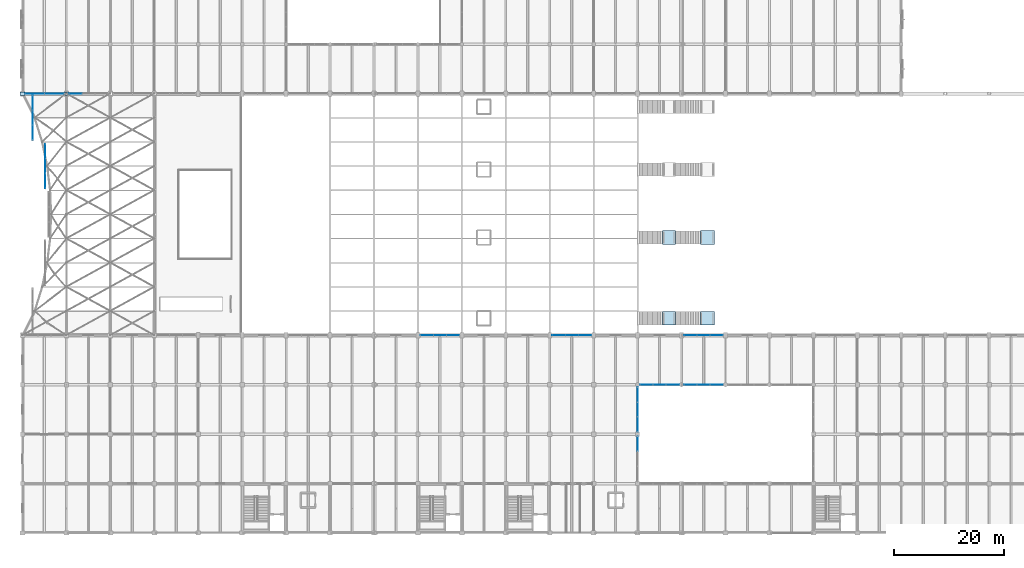
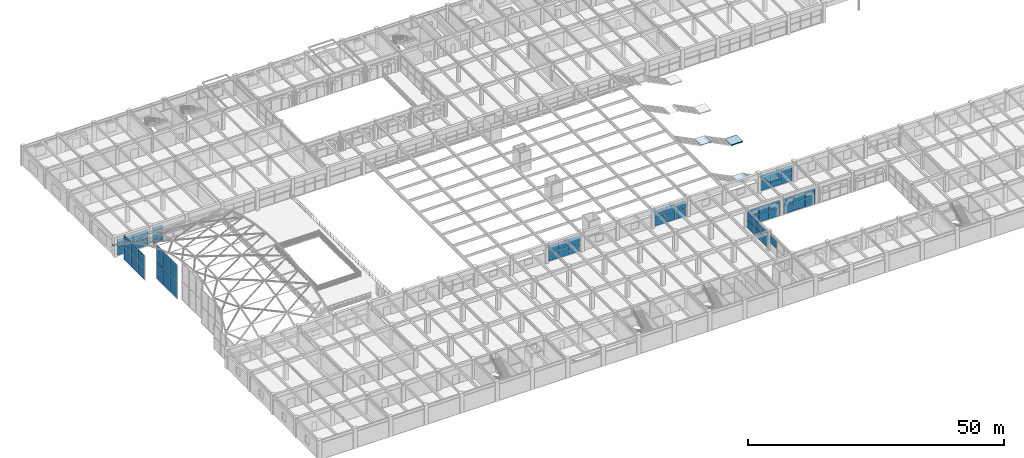
# One storey, part 93 of 144: 57 plates, 4 slabs, 13 elements without a shape of their own.
"""IFC4 building model written with IfcOpenShell, lengths in metres."""

import ifcopenshell
import ifcopenshell.guid

model = None  # the IFC model being written
_history = None  # IfcOwnerHistory: only IFC2X3 demands one
_inside = {}  # id of a spatial element -> (the spatial element, [elements in it])
_under = {}  # id of a project, library or spatial element -> (it, [spatial elements below it])
_declared = {}  # id of a project -> (the project, [libraries it declares])
_typed = {}  # id of a type object -> (the type object, [elements of that type])
_made_of = {}  # id of a material, layer set ... -> (it, [elements and type objects made of it])


def new_model(schema):
    """Start an empty IFC model of exactly this schema.

    Asked for "IFC4X3", IfcOpenShell would pick the latest addendum, in which some entities
    have other attributes; the version numbers below select the first issue.
    IFC2X3 requires an IfcOwnerHistory on every rooted entity: one is made here for all.
    """
    global model, _history
    if schema == "IFC4X3":
        model = ifcopenshell.file(schema_version=(4, 3, 0, 0))
    else:
        model = ifcopenshell.file(schema=schema)
    _inside.clear()
    _under.clear()
    _declared.clear()
    _typed.clear()
    _made_of.clear()
    _history = None
    if model.schema == "IFC2X3":
        org = make("IfcOrganization", Name="unknown")
        user = make(
            "IfcPersonAndOrganization",
            ThePerson=make("IfcPerson", FamilyName="unknown"),
            TheOrganization=org,
        )
        app = make(
            "IfcApplication",
            ApplicationDeveloper=org,
            Version="unknown",
            ApplicationFullName="unknown",
            ApplicationIdentifier="unknown",
        )
        _history = make(
            "IfcOwnerHistory",
            OwningUser=user,
            OwningApplication=app,
            ChangeAction="ADDED",
            CreationDate=0,
        )
    return model


def make(cls, **values):
    """One entity of the class cls with the attributes given. An attribute that is None is left unset."""
    return model.create_entity(
        cls, **{name: value for name, value in values.items() if value is not None}
    )


def rooted(cls, **values):
    """An entity with a GlobalId (a new one), such as an element, a storey or a relation."""
    return make(cls, GlobalId=ifcopenshell.guid.new(), OwnerHistory=_history, **values)


def si_unit(unit_type, name, prefix=None):
    """IfcSIUnit, for example si_unit("LENGTHUNIT", "METRE", prefix="MILLI")."""
    return make("IfcSIUnit", UnitType=unit_type, Prefix=prefix, Name=name)


def assignment(units):
    """IfcUnitAssignment: the units of a project."""
    return None if units is None else make("IfcUnitAssignment", Units=units)


def point(xyz):
    """IfcCartesianPoint."""
    return None if xyz is None else make("IfcCartesianPoint", Coordinates=xyz)


def direction(xyz):
    """IfcDirection."""
    return None if xyz is None else make("IfcDirection", DirectionRatios=xyz)


def frame(location, z_axis=None, x_axis=None):
    """IfcAxis2Placement3D, a coordinate frame: its origin and axes. An axis left out is left unset."""
    return make(
        "IfcAxis2Placement3D",
        Location=point(location),
        Axis=direction(z_axis),
        RefDirection=direction(x_axis),
    )


def frame_2d(location, x_axis=None):
    """IfcAxis2Placement2D, a coordinate frame in the plane: its origin and x axis."""
    return make(
        "IfcAxis2Placement2D", Location=point(location), RefDirection=direction(x_axis)
    )


def origin():
    """The frame at (0, 0, 0) with its axes left unset."""
    return frame((0.0, 0.0, 0.0))


def origin_2d():
    """The frame at (0, 0) in the plane with its x axis left unset."""
    return frame_2d((0.0, 0.0))


def place(relative_to, where):
    """IfcLocalPlacement: puts the frame where relative to a parent placement (None: the world)."""
    return make(
        "IfcLocalPlacement", PlacementRelTo=relative_to, RelativePlacement=where
    )


def context(
    kind, dimensions, precision=None, world=None, true_north=None, identifier=None
):
    """IfcGeometricRepresentationContext, for example the 3D "Model" context."""
    return make(
        "IfcGeometricRepresentationContext",
        ContextIdentifier=identifier,
        ContextType=kind,
        CoordinateSpaceDimension=dimensions,
        Precision=precision,
        WorldCoordinateSystem=world,
        TrueNorth=true_north,
    )


def subcontext(parent, identifier, kind, view, scale=None):
    """IfcGeometricRepresentationSubContext, for example "Body" below "Model"."""
    return make(
        "IfcGeometricRepresentationSubContext",
        ContextIdentifier=identifier,
        ContextType=kind,
        ParentContext=parent,
        TargetScale=scale,
        TargetView=view,
    )


def project(units=None, contexts=None):
    """IfcProject with its units and contexts."""
    return rooted(
        "IfcProject",
        Name="project",
        RepresentationContexts=contexts,
        UnitsInContext=assignment(units),
    )


def spatial(cls, under=None, at=None, **own):
    """A site, building, storey or space (cls), placed at a placement, below another one or the project."""
    s = rooted(cls, ObjectPlacement=at, **own)
    if under is not None:
        _under.setdefault(under.id(), (under, []))[1].append(s)
    return s


def polyline(points):
    """IfcPolyline through the points."""
    return make("IfcPolyline", Points=[point(p) for p in points])


def profile(cls, at=None, kind="AREA", **sizes):
    """A parametric profile (cls). Its sizes go by their IFC names, for example OverallWidth=200.0."""
    return make(cls, ProfileType=kind, Position=at, **sizes)


def rectangle(**sizes):
    """IfcRectangleProfileDef."""
    return profile("IfcRectangleProfileDef", **sizes)


def outline(outer, holes=None, kind="AREA"):
    """IfcArbitraryClosedProfileDef: a profile drawn as a closed curve; with holes, ...WithVoids."""
    if holes is None:
        return make("IfcArbitraryClosedProfileDef", ProfileType=kind, OuterCurve=outer)
    return make(
        "IfcArbitraryProfileDefWithVoids",
        ProfileType=kind,
        OuterCurve=outer,
        InnerCurves=holes,
    )


def extrude(swept, where, along, depth):
    """IfcExtrudedAreaSolid: the profile swept, set in the frame where, extruded along a direction by depth."""
    return make(
        "IfcExtrudedAreaSolid",
        SweptArea=swept,
        Position=where,
        ExtrudedDirection=direction(along),
        Depth=depth,
    )


def shape(context_of_items, identifier, shape_type, items):
    """IfcShapeRepresentation: the items that make up one representation, for example the "Body"."""
    return make(
        "IfcShapeRepresentation",
        ContextOfItems=context_of_items,
        RepresentationIdentifier=identifier,
        RepresentationType=shape_type,
        Items=items,
    )


def material(Name=None, Category=None):
    """IfcMaterial."""
    return make("IfcMaterial", Name=Name, Category=Category)


def layer(
    of_material, thickness, ventilated=None, Name=None, Category=None, Priority=None
):
    """IfcMaterialLayer: one layer of a wall or slab, of a material (None: an air gap)."""
    return make(
        "IfcMaterialLayer",
        Material=of_material,
        LayerThickness=thickness,
        IsVentilated=ventilated,
        Name=Name,
        Category=Category,
        Priority=Priority,
    )


def layer_set(layers, Name=None):
    """IfcMaterialLayerSet."""
    return make("IfcMaterialLayerSet", MaterialLayers=layers, LayerSetName=Name)


def made_of(thing, what):
    """Note that an element or type object is made of a material, layer set ...; save() writes the relation."""
    if what is not None:
        _made_of.setdefault(what.id(), (what, []))[1].append(thing)
    return thing


def type_object(cls, material=None, **own):
    """A type object (cls), such as IfcWallType, which elements share."""
    return made_of(rooted(cls, **own), material)


def element(
    cls,
    number,
    at=None,
    inside=None,
    cuts=None,
    type_object=None,
    material=None,
    context=None,
    identifier="Body",
    shape_type=None,
    held_by="IfcProductDefinitionShape",
    body=None,
    shapes=None,
    **own,
):
    """One element of the class cls, such as IfcWall. Its Tag is "e" and its number.

    at: its placement. inside: the storey or other place that contains it. cuts: it is an
    opening in that element (IfcRelVoidsElement). A single representation is given by context,
    identifier, shape_type and body (its items); several are given by shapes. held_by: the class
    of the entity that holds the representations. save() writes the other relations.
    """
    e = rooted(cls, Tag="e%d" % number, ObjectPlacement=at, **own)
    if body is not None:
        shapes = [shape(context, identifier, shape_type, body)]
    if shapes is not None:
        e.Representation = make(held_by, Representations=shapes)
    if inside is not None:
        _inside.setdefault(inside.id(), (inside, []))[1].append(e)
    if cuts is not None:
        rooted(
            "IfcRelVoidsElement", RelatingBuildingElement=cuts, RelatedOpeningElement=e
        )
    if type_object is not None:
        _typed.setdefault(type_object.id(), (type_object, []))[1].append(e)
    return made_of(e, material)


def aggregate(whole, parts):
    """IfcRelAggregates: a whole, such as a stair, and the parts it consists of."""
    return rooted("IfcRelAggregates", RelatingObject=whole, RelatedObjects=parts)


def save(model, path):
    """Write the relations noted so far, then the file.

    IfcRelAggregates (storeys below a building ...), IfcRelContainedInSpatialStructure (elements
    in a storey), IfcRelDefinesByType, IfcRelAssociatesMaterial and IfcRelDeclares: one each for
    every whole, place, type object, material and project.
    """
    for whole, parts in _under.values():
        aggregate(whole, parts)
    for where, things in _inside.values():
        rooted(
            "IfcRelContainedInSpatialStructure",
            RelatedElements=things,
            RelatingStructure=where,
        )
    for kind, things in _typed.values():
        rooted("IfcRelDefinesByType", RelatedObjects=things, RelatingType=kind)
    for what, things in _made_of.values():
        rooted("IfcRelAssociatesMaterial", RelatedObjects=things, RelatingMaterial=what)
    for by, libraries in _declared.values():
        rooted("IfcRelDeclares", RelatingContext=by, RelatedDefinitions=libraries)
    model.write(path)


model = new_model("IFC4")

# Units and contexts
model_context = context("Model", 3, precision=1e-05, world=origin(), true_north=direction((0.0, 1.0)))
body_context = subcontext(model_context, "Body", "Model", "MODEL_VIEW")
ifc_project = project(units=[si_unit("LENGTHUNIT", "METRE"), si_unit("AREAUNIT", "SQUARE_METRE"), si_unit("VOLUMEUNIT", "CUBIC_METRE"), si_unit("PLANEANGLEUNIT", "RADIAN"), si_unit("MASSUNIT", "GRAM", prefix="KILO")], contexts=[model_context])

# Site, building, storey
site_placement = place(None, origin())
site = spatial("IfcSite", under=ifc_project, at=site_placement, CompositionType="ELEMENT")
building_placement = place(site_placement, origin())
building = spatial("IfcBuilding", under=site, at=building_placement, Name="Varnabhumi Central Station", CompositionType="ELEMENT")
storey_placement = place(building_placement, frame((0.0, 0.0, 4.800048828125)))
storey = spatial("IfcBuildingStorey", under=building, at=storey_placement, Name="L01", CompositionType="ELEMENT", Elevation=4.800048828125)

# Curtain wall, plates
ifc_material_1 = material(Name="Anodised aluminium 6063-T6", Category="aluminium")
curtain_wall_type_1 = type_object("IfcCurtainWallType", Name="CW-STREET-PORTAL", PredefinedType="NOTDEFINED", material=ifc_material_1)
curtain_wall_1_placement = place(storey_placement, origin())
curtain_wall_1 = element("IfcCurtainWall", 1, at=curtain_wall_1_placement, inside=storey, type_object=curtain_wall_type_1, Name="Curtain Wall CW-NSP101", PredefinedType="NOTDEFINED")
ifc_material_2 = material(Name="Laminated low-E double glazing", Category="glass")
ifc_layer_1 = layer(ifc_material_2, 0.035888671875, Name="Laminated low-E double glazing", Category="glass")
ifc_layer_set_1 = layer_set([ifc_layer_1], Name="Laminated low-E double glazing")
plate_type_1 = type_object("IfcPlateType", Name="CW-PNL-GLZ-2", PredefinedType="CURTAIN_PANEL", material=ifc_layer_set_1)
plate_1_placement = place(storey_placement, frame((9.63330078125, 80.0, 0.0400390625), z_axis=(0.0, 0.0, 1.0), x_axis=(1.0, 0.0, 0.0)))
plate_1 = element("IfcPlate", 2, at=plate_1_placement, type_object=plate_type_1, Name="Glazed Panel CW-NSP101-P11", PredefinedType="CURTAIN_PANEL", context=body_context, shape_type="SweptSolid", body=[
    extrude(rectangle(XDim=2.28662109375, YDim=0.035888671875, at=origin_2d()), origin(), (0.0, 0.0, 1.0), 1.840087890625),
])
plate_2_placement = place(storey_placement, frame((9.63330078125, 80.0, 1.9599609375), z_axis=(0.0, 0.0, 1.0), x_axis=(1.0, 0.0, 0.0)))
plate_2 = element("IfcPlate", 3, at=plate_2_placement, type_object=plate_type_1, Name="Glazed Panel CW-NSP101-P12", PredefinedType="CURTAIN_PANEL", context=body_context, shape_type="SweptSolid", body=[
    extrude(rectangle(XDim=2.28662109375, YDim=0.035888671875, at=origin_2d()), origin(), (0.0, 0.0, 1.0), 1.840087890625),
])
aggregate(curtain_wall_1, [plate_1, plate_2])

curtain_wall_type_2 = type_object("IfcCurtainWallType", Name="CW-SPINE-SCREEN-L0", PredefinedType="NOTDEFINED", material=ifc_material_1)
curtain_wall_2_placement = place(storey_placement, origin())
curtain_wall_2 = element("IfcCurtainWall", 4, at=curtain_wall_2_placement, inside=storey, type_object=curtain_wall_type_2, Name="Curtain Wall CW-SS109", PredefinedType="NOTDEFINED")
plate_3_placement = place(storey_placement, frame((73.63330078125, 36.0, 0.0400390625), z_axis=(0.0, 0.0, 1.0), x_axis=(1.0, 0.0, 0.0)))
plate_3 = element("IfcPlate", 5, at=plate_3_placement, type_object=plate_type_1, Name="Glazed Panel CW-SS109-P11", PredefinedType="CURTAIN_PANEL", context=body_context, shape_type="SweptSolid", body=[
    extrude(rectangle(XDim=2.28662109375, YDim=0.035888671875, at=origin_2d()), origin(), (0.0, 0.0, 1.0), 1.840087890625),
])
plate_4_placement = place(storey_placement, frame((73.63330078125, 36.0, 1.9599609375), z_axis=(0.0, 0.0, 1.0), x_axis=(1.0, 0.0, 0.0)))
plate_4 = element("IfcPlate", 6, at=plate_4_placement, type_object=plate_type_1, Name="Glazed Panel CW-SS109-P12", PredefinedType="CURTAIN_PANEL", context=body_context, shape_type="SweptSolid", body=[
    extrude(rectangle(XDim=2.28662109375, YDim=0.035888671875, at=origin_2d()), origin(), (0.0, 0.0, 1.0), 1.840087890625),
])
plate_5_placement = place(storey_placement, frame((76.0, 36.0, 0.0400390625), z_axis=(0.0, 0.0, 1.0), x_axis=(1.0, 0.0, 0.0)))
plate_5 = element("IfcPlate", 7, at=plate_5_placement, type_object=plate_type_1, Name="Glazed Panel CW-SS109-P21", PredefinedType="CURTAIN_PANEL", context=body_context, shape_type="SweptSolid", body=[
    extrude(rectangle(XDim=2.28662109375, YDim=0.035888671875, at=origin_2d()), origin(), (0.0, 0.0, 1.0), 1.840087890625),
])
plate_6_placement = place(storey_placement, frame((76.0, 36.0, 1.9599609375), z_axis=(0.0, 0.0, 1.0), x_axis=(1.0, 0.0, 0.0)))
plate_6 = element("IfcPlate", 8, at=plate_6_placement, type_object=plate_type_1, Name="Glazed Panel CW-SS109-P22", PredefinedType="CURTAIN_PANEL", context=body_context, shape_type="SweptSolid", body=[
    extrude(rectangle(XDim=2.28662109375, YDim=0.035888671875, at=origin_2d()), origin(), (0.0, 0.0, 1.0), 1.840087890625),
])
plate_7_placement = place(storey_placement, frame((78.36669921875, 36.0, 0.0400390625), z_axis=(0.0, 0.0, 1.0), x_axis=(1.0, 0.0, 0.0)))
plate_7 = element("IfcPlate", 9, at=plate_7_placement, type_object=plate_type_1, Name="Glazed Panel CW-SS109-P31", PredefinedType="CURTAIN_PANEL", context=body_context, shape_type="SweptSolid", body=[
    extrude(rectangle(XDim=2.28662109375, YDim=0.035888671875, at=origin_2d()), origin(), (0.0, 0.0, 1.0), 1.840087890625),
])
plate_8_placement = place(storey_placement, frame((78.36669921875, 36.0, 1.9599609375), z_axis=(0.0, 0.0, 1.0), x_axis=(1.0, 0.0, 0.0)))
plate_8 = element("IfcPlate", 10, at=plate_8_placement, type_object=plate_type_1, Name="Glazed Panel CW-SS109-P32", PredefinedType="CURTAIN_PANEL", context=body_context, shape_type="SweptSolid", body=[
    extrude(rectangle(XDim=2.28662109375, YDim=0.035888671875, at=origin_2d()), origin(), (0.0, 0.0, 1.0), 1.840087890625),
])
aggregate(curtain_wall_2, [plate_3, plate_4, plate_5, plate_6, plate_7, plate_8])

curtain_wall_type_3 = type_object("IfcCurtainWallType", Name="CW-VAULT-ARCH-V1", PredefinedType="NOTDEFINED", material=ifc_material_1)
curtain_wall_3_placement = place(storey_placement, origin())
curtain_wall_3 = element("IfcCurtainWall", 11, at=curtain_wall_3_placement, inside=storey, type_object=curtain_wall_type_3, Name="Curtain Wall CW-V14", PredefinedType="NOTDEFINED")
ifc_layer_2 = layer(ifc_material_2, 0.035888671875, Name="Laminated low-E double glazing", Category="glass")
ifc_layer_set_2 = layer_set([ifc_layer_2], Name="Laminated low-E double glazing")
plate_type_2 = type_object("IfcPlateType", Name="CW-PNL-GLZ-3", PredefinedType="CURTAIN_PANEL", material=ifc_layer_set_2)
plate_9_placement = place(storey_placement, frame((4.14111328125, 64.10009765625, -1.16015625), z_axis=(0.0, 0.0, 1.0), x_axis=(0.0, 1.0, 0.0)))
plate_9 = element("IfcPlate", 12, at=plate_9_placement, type_object=plate_type_2, Name="Glazed Panel CW-V14-P11", PredefinedType="CURTAIN_PANEL", context=body_context, shape_type="SweptSolid", body=[
    extrude(rectangle(XDim=2.6201171875, YDim=0.035888671875, at=origin_2d()), origin(), (0.0, 0.0, 1.0), 3.99072265625),
])
plate_10_placement = place(storey_placement, frame((4.14111328125, 64.10009765625, 2.91064453125), z_axis=(0.0, 0.0, 1.0), x_axis=(0.0, 1.0, 0.0)))
plate_10 = element("IfcPlate", 13, at=plate_10_placement, type_object=plate_type_2, Name="Glazed Panel CW-V14-P12", PredefinedType="CURTAIN_PANEL", context=body_context, shape_type="SweptSolid", body=[
    extrude(rectangle(XDim=2.6201171875, YDim=0.035888671875, at=origin_2d()), origin(), (0.0, 0.0, 1.0), 3.99072265625),
])
plate_11_placement = place(storey_placement, frame((4.14111328125, 66.800048828125, -1.16015625), z_axis=(0.0, 0.0, 1.0), x_axis=(0.0, 1.0, 0.0)))
plate_11 = element("IfcPlate", 14, at=plate_11_placement, type_object=plate_type_2, Name="Glazed Panel CW-V14-P21", PredefinedType="CURTAIN_PANEL", context=body_context, shape_type="SweptSolid", body=[
    extrude(rectangle(XDim=2.6201171875, YDim=0.035888671875, at=origin_2d()), origin(), (0.0, 0.0, 1.0), 3.99072265625),
])
plate_12_placement = place(storey_placement, frame((4.14111328125, 66.800048828125, 2.91064453125), z_axis=(0.0, 0.0, 1.0), x_axis=(0.0, 1.0, 0.0)))
plate_12 = element("IfcPlate", 15, at=plate_12_placement, type_object=plate_type_2, Name="Glazed Panel CW-V14-P22", PredefinedType="CURTAIN_PANEL", context=body_context, shape_type="SweptSolid", body=[
    extrude(rectangle(XDim=2.6201171875, YDim=0.035888671875, at=origin_2d()), origin(), (0.0, 0.0, 1.0), 3.99072265625),
])
plate_13_placement = place(storey_placement, frame((4.14111328125, 69.5, -1.16015625), z_axis=(0.0, 0.0, 1.0), x_axis=(0.0, 1.0, 0.0)))
plate_13 = element("IfcPlate", 16, at=plate_13_placement, type_object=plate_type_2, Name="Glazed Panel CW-V14-P31", PredefinedType="CURTAIN_PANEL", context=body_context, shape_type="SweptSolid", body=[
    extrude(rectangle(XDim=2.6201171875, YDim=0.035888671875, at=origin_2d()), origin(), (0.0, 0.0, 1.0), 3.99072265625),
])
plate_14_placement = place(storey_placement, frame((4.14111328125, 69.5, 2.91064453125), z_axis=(0.0, 0.0, 1.0), x_axis=(0.0, 1.0, 0.0)))
plate_14 = element("IfcPlate", 17, at=plate_14_placement, type_object=plate_type_2, Name="Glazed Panel CW-V14-P32", PredefinedType="CURTAIN_PANEL", context=body_context, shape_type="SweptSolid", body=[
    extrude(rectangle(XDim=2.6201171875, YDim=0.035888671875, at=origin_2d()), origin(), (0.0, 0.0, 1.0), 3.99072265625),
])
aggregate(curtain_wall_3, [plate_9, plate_10, plate_11, plate_12, plate_13, plate_14])

curtain_wall_4_placement = place(storey_placement, origin())
curtain_wall_4 = element("IfcCurtainWall", 18, at=curtain_wall_4_placement, inside=storey, type_object=curtain_wall_type_3, Name="Curtain Wall CW-V15", PredefinedType="NOTDEFINED")
plate_15_placement = place(storey_placement, frame((1.864013671875, 72.89990234375, -1.16015625), z_axis=(0.0, 0.0, 1.0), x_axis=(0.0, 1.0, 0.0)))
plate_15 = element("IfcPlate", 19, at=plate_15_placement, type_object=plate_type_2, Name="Glazed Panel CW-V15-P11", PredefinedType="CURTAIN_PANEL", context=body_context, shape_type="SweptSolid", body=[
    extrude(rectangle(XDim=2.6201171875, YDim=0.035888671875, at=origin_2d()), origin(), (0.0, 0.0, 1.0), 2.85205078125),
])
plate_16_placement = place(storey_placement, frame((1.864013671875, 72.89990234375, 1.77197265625), z_axis=(0.0, 0.0, 1.0), x_axis=(0.0, 1.0, 0.0)))
plate_16 = element("IfcPlate", 20, at=plate_16_placement, type_object=plate_type_2, Name="Glazed Panel CW-V15-P12", PredefinedType="CURTAIN_PANEL", context=body_context, shape_type="SweptSolid", body=[
    extrude(rectangle(XDim=2.6201171875, YDim=0.035888671875, at=origin_2d()), origin(), (0.0, 0.0, 1.0), 2.85205078125),
])
plate_17_placement = place(storey_placement, frame((1.864013671875, 75.60009765625, -1.16015625), z_axis=(0.0, 0.0, 1.0), x_axis=(0.0, 1.0, 0.0)))
plate_17 = element("IfcPlate", 21, at=plate_17_placement, type_object=plate_type_2, Name="Glazed Panel CW-V15-P21", PredefinedType="CURTAIN_PANEL", context=body_context, shape_type="SweptSolid", body=[
    extrude(rectangle(XDim=2.6201171875, YDim=0.035888671875, at=origin_2d()), origin(), (0.0, 0.0, 1.0), 2.85205078125),
])
plate_18_placement = place(storey_placement, frame((1.864013671875, 75.60009765625, 1.77197265625), z_axis=(0.0, 0.0, 1.0), x_axis=(0.0, 1.0, 0.0)))
plate_18 = element("IfcPlate", 22, at=plate_18_placement, type_object=plate_type_2, Name="Glazed Panel CW-V15-P22", PredefinedType="CURTAIN_PANEL", context=body_context, shape_type="SweptSolid", body=[
    extrude(rectangle(XDim=2.6201171875, YDim=0.035888671875, at=origin_2d()), origin(), (0.0, 0.0, 1.0), 2.85205078125),
])
plate_19_placement = place(storey_placement, frame((1.864013671875, 78.300048828125, -1.16015625), z_axis=(0.0, 0.0, 1.0), x_axis=(0.0, 1.0, 0.0)))
plate_19 = element("IfcPlate", 23, at=plate_19_placement, type_object=plate_type_2, Name="Glazed Panel CW-V15-P31", PredefinedType="CURTAIN_PANEL", context=body_context, shape_type="SweptSolid", body=[
    extrude(rectangle(XDim=2.6201171875, YDim=0.035888671875, at=origin_2d()), origin(), (0.0, 0.0, 1.0), 2.85205078125),
])
plate_20_placement = place(storey_placement, frame((1.864013671875, 78.300048828125, 1.77197265625), z_axis=(0.0, 0.0, 1.0), x_axis=(0.0, 1.0, 0.0)))
plate_20 = element("IfcPlate", 24, at=plate_20_placement, type_object=plate_type_2, Name="Glazed Panel CW-V15-P32", PredefinedType="CURTAIN_PANEL", context=body_context, shape_type="SweptSolid", body=[
    extrude(rectangle(XDim=2.6201171875, YDim=0.035888671875, at=origin_2d()), origin(), (0.0, 0.0, 1.0), 2.85205078125),
])
aggregate(curtain_wall_4, [plate_15, plate_16, plate_17, plate_18, plate_19, plate_20])

# Curtain wall, plate
curtain_wall_type_4 = type_object("IfcCurtainWallType", Name="CW-PATIO-LOGGIA-L1", PredefinedType="NOTDEFINED", material=ifc_material_1)
curtain_wall_5_placement = place(storey_placement, origin())
curtain_wall_5 = element("IfcCurtainWall", 25, at=curtain_wall_5_placement, inside=storey, type_object=curtain_wall_type_4, Name="Curtain Wall CW-SP1E1", PredefinedType="NOTDEFINED")
plate_21_placement = place(storey_placement, frame((112.0, 16.219970703125, 1.9599609375), z_axis=(0.0, 0.0, 1.0), x_axis=(0.0, 1.0, 0.0)))
plate_21 = element("IfcPlate", 26, at=plate_21_placement, type_object=plate_type_2, Name="Glazed Panel CW-SP1E1-P32", PredefinedType="CURTAIN_PANEL", context=body_context, shape_type="SweptSolid", body=[
    extrude(rectangle(XDim=2.639892578125, YDim=0.035888671875, at=origin_2d()), origin(), (0.0, 0.0, 1.0), 1.840087890625),
])
aggregate(curtain_wall_5, [plate_21])

# Curtain wall, plates
curtain_wall_6_placement = place(storey_placement, origin())
curtain_wall_6 = element("IfcCurtainWall", 27, at=curtain_wall_6_placement, inside=storey, type_object=curtain_wall_type_4, Name="Curtain Wall CW-SP1E2", PredefinedType="NOTDEFINED")
plate_22_placement = place(storey_placement, frame((112.0, 19.780029296875, 0.0400390625), z_axis=(0.0, 0.0, 1.0), x_axis=(0.0, 1.0, 0.0)))
plate_22 = element("IfcPlate", 28, at=plate_22_placement, type_object=plate_type_2, Name="Glazed Panel CW-SP1E2-P11", PredefinedType="CURTAIN_PANEL", context=body_context, shape_type="SweptSolid", body=[
    extrude(rectangle(XDim=2.639892578125, YDim=0.035888671875, at=origin_2d()), origin(), (0.0, 0.0, 1.0), 1.840087890625),
])
plate_23_placement = place(storey_placement, frame((112.0, 19.780029296875, 1.9599609375), z_axis=(0.0, 0.0, 1.0), x_axis=(0.0, 1.0, 0.0)))
plate_23 = element("IfcPlate", 29, at=plate_23_placement, type_object=plate_type_2, Name="Glazed Panel CW-SP1E2-P12", PredefinedType="CURTAIN_PANEL", context=body_context, shape_type="SweptSolid", body=[
    extrude(rectangle(XDim=2.639892578125, YDim=0.035888671875, at=origin_2d()), origin(), (0.0, 0.0, 1.0), 1.840087890625),
])
plate_24_placement = place(storey_placement, frame((112.0, 22.5, 0.0400390625), z_axis=(0.0, 0.0, 1.0), x_axis=(0.0, 1.0, 0.0)))
plate_24 = element("IfcPlate", 30, at=plate_24_placement, type_object=plate_type_2, Name="Glazed Panel CW-SP1E2-P21", PredefinedType="CURTAIN_PANEL", context=body_context, shape_type="SweptSolid", body=[
    extrude(rectangle(XDim=2.639892578125, YDim=0.035888671875, at=origin_2d()), origin(), (0.0, 0.0, 1.0), 1.840087890625),
])
plate_25_placement = place(storey_placement, frame((112.0, 22.5, 1.9599609375), z_axis=(0.0, 0.0, 1.0), x_axis=(0.0, 1.0, 0.0)))
plate_25 = element("IfcPlate", 31, at=plate_25_placement, type_object=plate_type_2, Name="Glazed Panel CW-SP1E2-P22", PredefinedType="CURTAIN_PANEL", context=body_context, shape_type="SweptSolid", body=[
    extrude(rectangle(XDim=2.639892578125, YDim=0.035888671875, at=origin_2d()), origin(), (0.0, 0.0, 1.0), 1.840087890625),
])
plate_26_placement = place(storey_placement, frame((112.0, 25.219970703125, 0.0400390625), z_axis=(0.0, 0.0, 1.0), x_axis=(0.0, 1.0, 0.0)))
plate_26 = element("IfcPlate", 32, at=plate_26_placement, type_object=plate_type_2, Name="Glazed Panel CW-SP1E2-P31", PredefinedType="CURTAIN_PANEL", context=body_context, shape_type="SweptSolid", body=[
    extrude(rectangle(XDim=2.639892578125, YDim=0.035888671875, at=origin_2d()), origin(), (0.0, 0.0, 1.0), 1.840087890625),
])
plate_27_placement = place(storey_placement, frame((112.0, 25.219970703125, 1.9599609375), z_axis=(0.0, 0.0, 1.0), x_axis=(0.0, 1.0, 0.0)))
plate_27 = element("IfcPlate", 33, at=plate_27_placement, type_object=plate_type_2, Name="Glazed Panel CW-SP1E2-P32", PredefinedType="CURTAIN_PANEL", context=body_context, shape_type="SweptSolid", body=[
    extrude(rectangle(XDim=2.639892578125, YDim=0.035888671875, at=origin_2d()), origin(), (0.0, 0.0, 1.0), 1.840087890625),
])
aggregate(curtain_wall_6, [plate_22, plate_23, plate_24, plate_25, plate_26, plate_27])

curtain_wall_7_placement = place(storey_placement, origin())
curtain_wall_7 = element("IfcCurtainWall", 34, at=curtain_wall_7_placement, inside=storey, type_object=curtain_wall_type_2, Name="Curtain Wall CW-NS100", PredefinedType="NOTDEFINED")
ifc_layer_3 = layer(ifc_material_2, 0.035888671875, Name="Laminated low-E double glazing", Category="glass")
ifc_layer_set_3 = layer_set([ifc_layer_3], Name="Laminated low-E double glazing")
plate_type_3 = type_object("IfcPlateType", Name="CW-PNL-GLZ-5", PredefinedType="CURTAIN_PANEL", material=ifc_layer_set_3)
plate_28_placement = place(storey_placement, frame((2.22509765625, 80.0, 0.0400390625), z_axis=(0.0, 0.0, 1.0), x_axis=(1.0, 0.0, 0.0)))
plate_28 = element("IfcPlate", 35, at=plate_28_placement, type_object=plate_type_3, Name="Glazed Panel CW-NS100-P11", PredefinedType="CURTAIN_PANEL", context=body_context, shape_type="SweptSolid", body=[
    extrude(rectangle(XDim=3.469970703125, YDim=0.035888671875, at=origin_2d()), origin(), (0.0, 0.0, 1.0), 1.840087890625),
])
plate_29_placement = place(storey_placement, frame((2.22509765625, 80.0, 1.9599609375), z_axis=(0.0, 0.0, 1.0), x_axis=(1.0, 0.0, 0.0)))
plate_29 = element("IfcPlate", 36, at=plate_29_placement, type_object=plate_type_3, Name="Glazed Panel CW-NS100-P12", PredefinedType="CURTAIN_PANEL", context=body_context, shape_type="SweptSolid", body=[
    extrude(rectangle(XDim=3.469970703125, YDim=0.035888671875, at=origin_2d()), origin(), (0.0, 0.0, 1.0), 1.840087890625),
])
plate_30_placement = place(storey_placement, frame((5.77490234375, 80.0, 0.0400390625), z_axis=(0.0, 0.0, 1.0), x_axis=(1.0, 0.0, 0.0)))
plate_30 = element("IfcPlate", 37, at=plate_30_placement, type_object=plate_type_3, Name="Glazed Panel CW-NS100-P21", PredefinedType="CURTAIN_PANEL", context=body_context, shape_type="SweptSolid", body=[
    extrude(rectangle(XDim=3.469970703125, YDim=0.035888671875, at=origin_2d()), origin(), (0.0, 0.0, 1.0), 1.840087890625),
])
plate_31_placement = place(storey_placement, frame((5.77490234375, 80.0, 1.9599609375), z_axis=(0.0, 0.0, 1.0), x_axis=(1.0, 0.0, 0.0)))
plate_31 = element("IfcPlate", 38, at=plate_31_placement, type_object=plate_type_3, Name="Glazed Panel CW-NS100-P22", PredefinedType="CURTAIN_PANEL", context=body_context, shape_type="SweptSolid", body=[
    extrude(rectangle(XDim=3.469970703125, YDim=0.035888671875, at=origin_2d()), origin(), (0.0, 0.0, 1.0), 1.840087890625),
])
aggregate(curtain_wall_7, [plate_28, plate_29, plate_30, plate_31])

curtain_wall_8_placement = place(storey_placement, origin())
curtain_wall_8 = element("IfcCurtainWall", 39, at=curtain_wall_8_placement, inside=storey, type_object=curtain_wall_type_2, Name="Curtain Wall CW-SS112", PredefinedType="NOTDEFINED")
plate_32_placement = place(storey_placement, frame((97.63330078125, 36.0, 0.0400390625), z_axis=(0.0, 0.0, 1.0), x_axis=(1.0, 0.0, 0.0)))
plate_32 = element("IfcPlate", 40, at=plate_32_placement, type_object=plate_type_3, Name="Glazed Panel CW-SS112-P11", PredefinedType="CURTAIN_PANEL", context=body_context, shape_type="SweptSolid", body=[
    extrude(rectangle(XDim=2.28662109375, YDim=0.035888671875, at=origin_2d()), origin(), (0.0, 0.0, 1.0), 1.840087890625),
])
plate_33_placement = place(storey_placement, frame((97.63330078125, 36.0, 1.9599609375), z_axis=(0.0, 0.0, 1.0), x_axis=(1.0, 0.0, 0.0)))
plate_33 = element("IfcPlate", 41, at=plate_33_placement, type_object=plate_type_3, Name="Glazed Panel CW-SS112-P12", PredefinedType="CURTAIN_PANEL", context=body_context, shape_type="SweptSolid", body=[
    extrude(rectangle(XDim=2.28662109375, YDim=0.035888671875, at=origin_2d()), origin(), (0.0, 0.0, 1.0), 1.840087890625),
])
plate_34_placement = place(storey_placement, frame((100.0, 36.0, 0.0400390625), z_axis=(0.0, 0.0, 1.0), x_axis=(1.0, 0.0, 0.0)))
plate_34 = element("IfcPlate", 42, at=plate_34_placement, type_object=plate_type_3, Name="Glazed Panel CW-SS112-P21", PredefinedType="CURTAIN_PANEL", context=body_context, shape_type="SweptSolid", body=[
    extrude(rectangle(XDim=2.28662109375, YDim=0.035888671875, at=origin_2d()), origin(), (0.0, 0.0, 1.0), 1.840087890625),
])
plate_35_placement = place(storey_placement, frame((100.0, 36.0, 1.9599609375), z_axis=(0.0, 0.0, 1.0), x_axis=(1.0, 0.0, 0.0)))
plate_35 = element("IfcPlate", 43, at=plate_35_placement, type_object=plate_type_3, Name="Glazed Panel CW-SS112-P22", PredefinedType="CURTAIN_PANEL", context=body_context, shape_type="SweptSolid", body=[
    extrude(rectangle(XDim=2.28662109375, YDim=0.035888671875, at=origin_2d()), origin(), (0.0, 0.0, 1.0), 1.840087890625),
])
plate_36_placement = place(storey_placement, frame((102.36669921875, 36.0, 0.0400390625), z_axis=(0.0, 0.0, 1.0), x_axis=(1.0, 0.0, 0.0)))
plate_36 = element("IfcPlate", 44, at=plate_36_placement, type_object=plate_type_3, Name="Glazed Panel CW-SS112-P31", PredefinedType="CURTAIN_PANEL", context=body_context, shape_type="SweptSolid", body=[
    extrude(rectangle(XDim=2.28662109375, YDim=0.035888671875, at=origin_2d()), origin(), (0.0, 0.0, 1.0), 1.840087890625),
])
plate_37_placement = place(storey_placement, frame((102.36669921875, 36.0, 1.9599609375), z_axis=(0.0, 0.0, 1.0), x_axis=(1.0, 0.0, 0.0)))
plate_37 = element("IfcPlate", 45, at=plate_37_placement, type_object=plate_type_3, Name="Glazed Panel CW-SS112-P32", PredefinedType="CURTAIN_PANEL", context=body_context, shape_type="SweptSolid", body=[
    extrude(rectangle(XDim=2.28662109375, YDim=0.035888671875, at=origin_2d()), origin(), (0.0, 0.0, 1.0), 1.840087890625),
])
aggregate(curtain_wall_8, [plate_32, plate_33, plate_34, plate_35, plate_36, plate_37])

curtain_wall_9_placement = place(storey_placement, origin())
curtain_wall_9 = element("IfcCurtainWall", 46, at=curtain_wall_9_placement, inside=storey, type_object=curtain_wall_type_4, Name="Curtain Wall CW-SP1N1", PredefinedType="NOTDEFINED")
plate_38_placement = place(storey_placement, frame((113.61328125, 27.0, 0.0400390625), z_axis=(0.0, 0.0, 1.0), x_axis=(1.0, 0.0, 0.0)))
plate_38 = element("IfcPlate", 47, at=plate_38_placement, type_object=plate_type_3, Name="Glazed Panel CW-SP1N1-P11", PredefinedType="CURTAIN_PANEL", context=body_context, shape_type="SweptSolid", body=[
    extrude(rectangle(XDim=2.306640625, YDim=0.035888671875, at=origin_2d()), origin(), (0.0, 0.0, 1.0), 1.840087890625),
])
plate_39_placement = place(storey_placement, frame((113.61328125, 27.0, 1.9599609375), z_axis=(0.0, 0.0, 1.0), x_axis=(1.0, 0.0, 0.0)))
plate_39 = element("IfcPlate", 48, at=plate_39_placement, type_object=plate_type_3, Name="Glazed Panel CW-SP1N1-P12", PredefinedType="CURTAIN_PANEL", context=body_context, shape_type="SweptSolid", body=[
    extrude(rectangle(XDim=2.306640625, YDim=0.035888671875, at=origin_2d()), origin(), (0.0, 0.0, 1.0), 1.840087890625),
])
plate_40_placement = place(storey_placement, frame((116.0, 27.0, 0.0400390625), z_axis=(0.0, 0.0, 1.0), x_axis=(1.0, 0.0, 0.0)))
plate_40 = element("IfcPlate", 49, at=plate_40_placement, type_object=plate_type_3, Name="Glazed Panel CW-SP1N1-P21", PredefinedType="CURTAIN_PANEL", context=body_context, shape_type="SweptSolid", body=[
    extrude(rectangle(XDim=2.306640625, YDim=0.035888671875, at=origin_2d()), origin(), (0.0, 0.0, 1.0), 1.840087890625),
])
plate_41_placement = place(storey_placement, frame((116.0, 27.0, 1.9599609375), z_axis=(0.0, 0.0, 1.0), x_axis=(1.0, 0.0, 0.0)))
plate_41 = element("IfcPlate", 50, at=plate_41_placement, type_object=plate_type_3, Name="Glazed Panel CW-SP1N1-P22", PredefinedType="CURTAIN_PANEL", context=body_context, shape_type="SweptSolid", body=[
    extrude(rectangle(XDim=2.306640625, YDim=0.035888671875, at=origin_2d()), origin(), (0.0, 0.0, 1.0), 1.840087890625),
])
plate_42_placement = place(storey_placement, frame((118.38671875, 27.0, 0.0400390625), z_axis=(0.0, 0.0, 1.0), x_axis=(1.0, 0.0, 0.0)))
plate_42 = element("IfcPlate", 51, at=plate_42_placement, type_object=plate_type_3, Name="Glazed Panel CW-SP1N1-P31", PredefinedType="CURTAIN_PANEL", context=body_context, shape_type="SweptSolid", body=[
    extrude(rectangle(XDim=2.306640625, YDim=0.035888671875, at=origin_2d()), origin(), (0.0, 0.0, 1.0), 1.840087890625),
])
plate_43_placement = place(storey_placement, frame((118.38671875, 27.0, 1.9599609375), z_axis=(0.0, 0.0, 1.0), x_axis=(1.0, 0.0, 0.0)))
plate_43 = element("IfcPlate", 52, at=plate_43_placement, type_object=plate_type_3, Name="Glazed Panel CW-SP1N1-P32", PredefinedType="CURTAIN_PANEL", context=body_context, shape_type="SweptSolid", body=[
    extrude(rectangle(XDim=2.306640625, YDim=0.035888671875, at=origin_2d()), origin(), (0.0, 0.0, 1.0), 1.840087890625),
])
aggregate(curtain_wall_9, [plate_38, plate_39, plate_40, plate_41, plate_42, plate_43])

curtain_wall_10_placement = place(storey_placement, origin())
curtain_wall_10 = element("IfcCurtainWall", 53, at=curtain_wall_10_placement, inside=storey, type_object=curtain_wall_type_4, Name="Curtain Wall CW-SP1N2", PredefinedType="NOTDEFINED")
ifc_layer_4 = layer(ifc_material_2, 0.035888671875, Name="Laminated low-E double glazing", Category="glass")
ifc_layer_set_4 = layer_set([ifc_layer_4], Name="Laminated low-E double glazing")
plate_type_4 = type_object("IfcPlateType", Name="CW-PNL-GLZ-6", PredefinedType="CURTAIN_PANEL", material=ifc_layer_set_4)
plate_44_placement = place(storey_placement, frame((121.61328125, 27.0, 0.0400390625), z_axis=(0.0, 0.0, 1.0), x_axis=(1.0, 0.0, 0.0)))
plate_44 = element("IfcPlate", 54, at=plate_44_placement, type_object=plate_type_4, Name="Glazed Panel CW-SP1N2-P11", PredefinedType="CURTAIN_PANEL", context=body_context, shape_type="SweptSolid", body=[
    extrude(rectangle(XDim=2.306640625, YDim=0.035888671875, at=origin_2d()), origin(), (0.0, 0.0, 1.0), 1.840087890625),
])
plate_45_placement = place(storey_placement, frame((121.61328125, 27.0, 1.9599609375), z_axis=(0.0, 0.0, 1.0), x_axis=(1.0, 0.0, 0.0)))
plate_45 = element("IfcPlate", 55, at=plate_45_placement, type_object=plate_type_4, Name="Glazed Panel CW-SP1N2-P12", PredefinedType="CURTAIN_PANEL", context=body_context, shape_type="SweptSolid", body=[
    extrude(rectangle(XDim=2.306640625, YDim=0.035888671875, at=origin_2d()), origin(), (0.0, 0.0, 1.0), 1.840087890625),
])
plate_46_placement = place(storey_placement, frame((124.0, 27.0, 0.0400390625), z_axis=(0.0, 0.0, 1.0), x_axis=(1.0, 0.0, 0.0)))
plate_46 = element("IfcPlate", 56, at=plate_46_placement, type_object=plate_type_4, Name="Glazed Panel CW-SP1N2-P21", PredefinedType="CURTAIN_PANEL", context=body_context, shape_type="SweptSolid", body=[
    extrude(rectangle(XDim=2.306640625, YDim=0.035888671875, at=origin_2d()), origin(), (0.0, 0.0, 1.0), 1.840087890625),
])
plate_47_placement = place(storey_placement, frame((124.0, 27.0, 1.9599609375), z_axis=(0.0, 0.0, 1.0), x_axis=(1.0, 0.0, 0.0)))
plate_47 = element("IfcPlate", 57, at=plate_47_placement, type_object=plate_type_4, Name="Glazed Panel CW-SP1N2-P22", PredefinedType="CURTAIN_PANEL", context=body_context, shape_type="SweptSolid", body=[
    extrude(rectangle(XDim=2.306640625, YDim=0.035888671875, at=origin_2d()), origin(), (0.0, 0.0, 1.0), 1.840087890625),
])
plate_48_placement = place(storey_placement, frame((126.38671875, 27.0, 0.0400390625), z_axis=(0.0, 0.0, 1.0), x_axis=(1.0, 0.0, 0.0)))
plate_48 = element("IfcPlate", 58, at=plate_48_placement, type_object=plate_type_4, Name="Glazed Panel CW-SP1N2-P31", PredefinedType="CURTAIN_PANEL", context=body_context, shape_type="SweptSolid", body=[
    extrude(rectangle(XDim=2.306640625, YDim=0.035888671875, at=origin_2d()), origin(), (0.0, 0.0, 1.0), 1.840087890625),
])
plate_49_placement = place(storey_placement, frame((126.38671875, 27.0, 1.9599609375), z_axis=(0.0, 0.0, 1.0), x_axis=(1.0, 0.0, 0.0)))
plate_49 = element("IfcPlate", 59, at=plate_49_placement, type_object=plate_type_4, Name="Glazed Panel CW-SP1N2-P32", PredefinedType="CURTAIN_PANEL", context=body_context, shape_type="SweptSolid", body=[
    extrude(rectangle(XDim=2.306640625, YDim=0.035888671875, at=origin_2d()), origin(), (0.0, 0.0, 1.0), 1.840087890625),
])
aggregate(curtain_wall_10, [plate_44, plate_45, plate_46, plate_47, plate_48, plate_49])

curtain_wall_11_placement = place(storey_placement, origin())
curtain_wall_11 = element("IfcCurtainWall", 60, at=curtain_wall_11_placement, inside=storey, type_object=curtain_wall_type_2, Name="Curtain Wall CW-SS115", PredefinedType="NOTDEFINED")
ifc_layer_5 = layer(ifc_material_2, 0.035888671875, Name="Laminated low-E double glazing", Category="glass")
ifc_layer_set_5 = layer_set([ifc_layer_5], Name="Laminated low-E double glazing")
plate_type_5 = type_object("IfcPlateType", Name="CW-PNL-GLZ-8", PredefinedType="CURTAIN_PANEL", material=ifc_layer_set_5)
plate_50_placement = place(storey_placement, frame((121.63330078125, 36.0, 0.0400390625), z_axis=(0.0, 0.0, 1.0), x_axis=(1.0, 0.0, 0.0)))
plate_50 = element("IfcPlate", 61, at=plate_50_placement, type_object=plate_type_5, Name="Glazed Panel CW-SS115-P11", PredefinedType="CURTAIN_PANEL", context=body_context, shape_type="SweptSolid", body=[
    extrude(rectangle(XDim=2.28662109375, YDim=0.035888671875, at=origin_2d()), origin(), (0.0, 0.0, 1.0), 1.840087890625),
])
plate_51_placement = place(storey_placement, frame((121.63330078125, 36.0, 1.9599609375), z_axis=(0.0, 0.0, 1.0), x_axis=(1.0, 0.0, 0.0)))
plate_51 = element("IfcPlate", 62, at=plate_51_placement, type_object=plate_type_5, Name="Glazed Panel CW-SS115-P12", PredefinedType="CURTAIN_PANEL", context=body_context, shape_type="SweptSolid", body=[
    extrude(rectangle(XDim=2.28662109375, YDim=0.035888671875, at=origin_2d()), origin(), (0.0, 0.0, 1.0), 1.840087890625),
])
plate_52_placement = place(storey_placement, frame((124.0, 36.0, 0.0400390625), z_axis=(0.0, 0.0, 1.0), x_axis=(1.0, 0.0, 0.0)))
plate_52 = element("IfcPlate", 63, at=plate_52_placement, type_object=plate_type_5, Name="Glazed Panel CW-SS115-P21", PredefinedType="CURTAIN_PANEL", context=body_context, shape_type="SweptSolid", body=[
    extrude(rectangle(XDim=2.28662109375, YDim=0.035888671875, at=origin_2d()), origin(), (0.0, 0.0, 1.0), 1.840087890625),
])
plate_53_placement = place(storey_placement, frame((124.0, 36.0, 1.9599609375), z_axis=(0.0, 0.0, 1.0), x_axis=(1.0, 0.0, 0.0)))
plate_53 = element("IfcPlate", 64, at=plate_53_placement, type_object=plate_type_5, Name="Glazed Panel CW-SS115-P22", PredefinedType="CURTAIN_PANEL", context=body_context, shape_type="SweptSolid", body=[
    extrude(rectangle(XDim=2.28662109375, YDim=0.035888671875, at=origin_2d()), origin(), (0.0, 0.0, 1.0), 1.840087890625),
])
plate_54_placement = place(storey_placement, frame((126.36669921875, 36.0, 0.0400390625), z_axis=(0.0, 0.0, 1.0), x_axis=(1.0, 0.0, 0.0)))
plate_54 = element("IfcPlate", 65, at=plate_54_placement, type_object=plate_type_5, Name="Glazed Panel CW-SS115-P31", PredefinedType="CURTAIN_PANEL", context=body_context, shape_type="SweptSolid", body=[
    extrude(rectangle(XDim=2.28662109375, YDim=0.035888671875, at=origin_2d()), origin(), (0.0, 0.0, 1.0), 1.840087890625),
])
plate_55_placement = place(storey_placement, frame((126.36669921875, 36.0, 1.9599609375), z_axis=(0.0, 0.0, 1.0), x_axis=(1.0, 0.0, 0.0)))
plate_55 = element("IfcPlate", 66, at=plate_55_placement, type_object=plate_type_5, Name="Glazed Panel CW-SS115-P32", PredefinedType="CURTAIN_PANEL", context=body_context, shape_type="SweptSolid", body=[
    extrude(rectangle(XDim=2.28662109375, YDim=0.035888671875, at=origin_2d()), origin(), (0.0, 0.0, 1.0), 1.840087890625),
])
aggregate(curtain_wall_11, [plate_50, plate_51, plate_52, plate_53, plate_54, plate_55])

# Plates
ifc_material_3 = material(Name="Structural steel E350", Category="steel")
ifc_layer_6 = layer(ifc_material_3, 0.031982421875, Name="Structural steel E350", Category="steel")
ifc_layer_set_6 = layer_set([ifc_layer_6], Name="Structural steel E350")
plate_type_6 = type_object("IfcPlateType", Name="PLT-GUSSET-A", PredefinedType="USERDEFINED", material=ifc_layer_set_6)
for number, where, z_axis, x_axis, name in (
    (67, (0.0, 80.0, 2.7841796875), (0.0, 0.0, 1.0), (1.0, 0.0, 0.0), "Forecourt Arrival Canopy Vault Arch Springing Gusset 1-N"),
    (68, (8.0, 80.0, 2.7841796875), (0.0, 0.0, 1.0), (1.0, 0.0, 0.0), "Forecourt Arrival Canopy Vault Arch Springing Gusset 2-N"),
):
    element("IfcPlate", number, at=place(storey_placement, frame(where, z_axis=z_axis, x_axis=x_axis)), inside=storey, type_object=plate_type_6, Name=name, ObjectType="GUSSET PLATE", PredefinedType="USERDEFINED", context=body_context, shape_type="SweptSolid", body=[
        extrude(rectangle(XDim=0.85009765625, YDim=0.64990234375, at=origin_2d()), origin(), (0.0, 0.0, 1.0), 0.031982421875),
    ])

# Slabs
ifc_material_4 = material(Name="Concrete M40", Category="concrete")
ifc_layer_7 = layer(ifc_material_4, 0.219970703125, Name="Concrete M40", Category="concrete")
ifc_layer_set_7 = layer_set([ifc_layer_7], Name="Concrete M40")
slab_type_1 = type_object("IfcSlabType", Name="SLB-MEZZ-220", PredefinedType="FLOOR", material=ifc_layer_set_7)
slab_1_placement = place(storey_placement, frame((0.0, 0.0, -0.219970703125)))
element("IfcSlab", 69, at=slab_1_placement, inside=storey, type_object=slab_type_1, Name="Platform 1 Stair Landing p1_l1xfer", PredefinedType="FLOOR", context=body_context, shape_type="SweptSolid", body=[
    extrude(outline(polyline([(123.39990234375, 37.85009765625), (126.0, 37.85009765625), (126.0, 40.35009765625), (123.39990234375, 40.35009765625), (123.39990234375, 37.85009765625)])), origin(), (0.0, 0.0, 1.0), 0.219970703125),
])
slab_2_placement = place(storey_placement, frame((0.0, 0.0, -0.219970703125)))
element("IfcSlab", 70, at=slab_2_placement, inside=storey, type_object=slab_type_1, Name="Platform 2 Stair Landing p2_l1xfer", PredefinedType="FLOOR", context=body_context, shape_type="SweptSolid", body=[
    extrude(outline(polyline([(123.39990234375, 52.550048828125), (126.0, 52.550048828125), (126.0, 55.050048828125), (123.39990234375, 55.050048828125), (123.39990234375, 52.550048828125)])), origin(), (0.0, 0.0, 1.0), 0.219970703125),
])

# Stair, slab
stair_type = type_object("IfcStairType", Name="STR-PLAT-4800", PredefinedType="TWO_STRAIGHT_RUN_STAIR", material=ifc_material_4)
stair_1_placement = place(storey_placement, origin())
stair_1 = element("IfcStair", 71, at=stair_1_placement, inside=storey, type_object=stair_type, Name="Platform 1 Upper Stair (L01-L02)", PredefinedType="TWO_STRAIGHT_RUN_STAIR")
ifc_layer_8 = layer(ifc_material_4, 0.179931640625, Name="Concrete M40", Category="concrete")
ifc_layer_set_8 = layer_set([ifc_layer_8], Name="Concrete M40")
slab_type_2 = type_object("IfcSlabType", Name="SLB-STAIR-LAND", PredefinedType="LANDING", material=ifc_layer_set_8)
slab_3_placement = place(storey_placement, frame((0.0, 0.0, 2.219970703125)))
slab_3 = element("IfcSlab", 72, at=slab_3_placement, type_object=slab_type_2, Name="Platform 1 Stair Landing p1_l1mid", PredefinedType="LANDING", context=body_context, shape_type="SweptSolid", body=[
    extrude(outline(polyline([(116.5, 37.85009765625), (118.89990234375, 37.85009765625), (118.89990234375, 40.35009765625), (116.5, 40.35009765625), (116.5, 37.85009765625)])), origin(), (0.0, 0.0, 1.0), 0.179931640625),
])
aggregate(stair_1, [slab_3])

stair_2_placement = place(storey_placement, origin())
stair_2 = element("IfcStair", 73, at=stair_2_placement, inside=storey, type_object=stair_type, Name="Platform 2 Upper Stair (L01-L02)", PredefinedType="TWO_STRAIGHT_RUN_STAIR")
slab_4_placement = place(storey_placement, frame((0.0, 0.0, 2.219970703125)))
slab_4 = element("IfcSlab", 74, at=slab_4_placement, type_object=slab_type_2, Name="Platform 2 Stair Landing p2_l1mid", PredefinedType="LANDING", context=body_context, shape_type="SweptSolid", body=[
    extrude(outline(polyline([(116.5, 52.550048828125), (118.89990234375, 52.550048828125), (118.89990234375, 55.050048828125), (116.5, 55.050048828125), (116.5, 52.550048828125)])), origin(), (0.0, 0.0, 1.0), 0.179931640625),
])
aggregate(stair_2, [slab_4])

save(model, "model.ifc")
